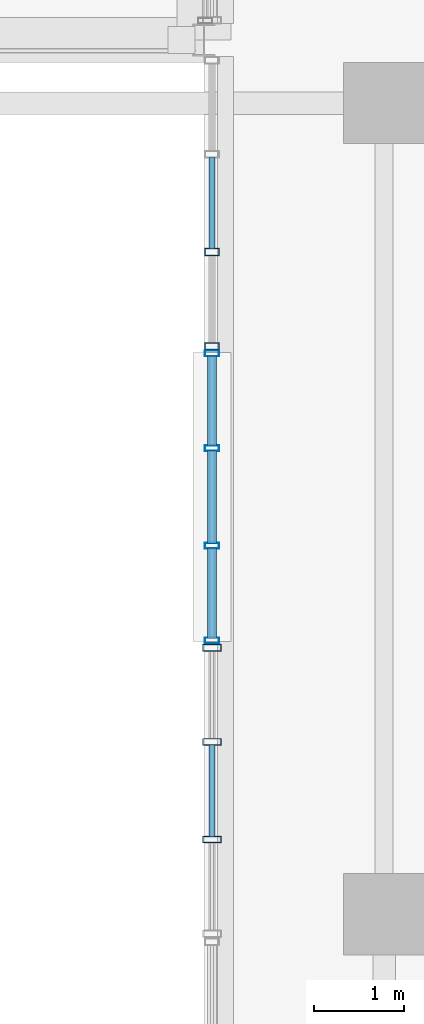
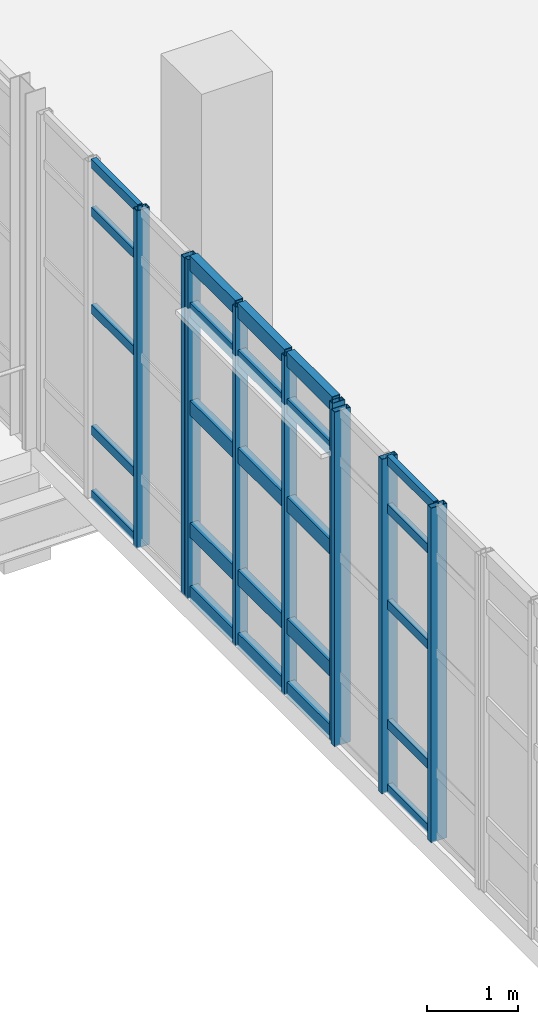
# One storey, part 36 of 127: 34 members, 3 elements without a shape of their own.
"""IFC4 building model written with IfcOpenShell, lengths in metres."""

from ifc_helpers import new_model, si_unit, derived_unit, direction, frame, origin, origin_2d, place, context, subcontext, project, spatial, hollow_rectangle, extrude, material, layer, layer_set, material_profile, profile_set, type_object, element, aggregate, save


model = new_model("IFC4")

# Units and contexts
model_context = context("Model", 3, precision=1e-05, world=origin(), true_north=direction((0.0, 1.0)))
body_context = subcontext(model_context, "Body", "Model", "MODEL_VIEW")
ifc_project = project(units=[si_unit("LENGTHUNIT", "METRE"), si_unit("AREAUNIT", "SQUARE_METRE"), si_unit("VOLUMEUNIT", "CUBIC_METRE"), si_unit("PLANEANGLEUNIT", "RADIAN"), si_unit("MASSUNIT", "GRAM", prefix="KILO"), derived_unit("THERMALTRANSMITTANCEUNIT", [(si_unit("POWERUNIT", "WATT"), 1), (si_unit("LENGTHUNIT", "METRE"), -2), (si_unit("THERMODYNAMICTEMPERATUREUNIT", "KELVIN"), -1)])], contexts=[model_context])

# Site, building, storey
site_placement = place(None, origin())
site = spatial("IfcSite", under=ifc_project, at=site_placement, CompositionType="ELEMENT")
building_placement = place(site_placement, origin())
building = spatial("IfcBuilding", under=site, at=building_placement, Name="Nallur Shell Playhouse", CompositionType="ELEMENT")
storey_placement = place(building_placement, frame((0.0, 0.0, 5.39990234375)))
storey = spatial("IfcBuildingStorey", under=building, at=storey_placement, Name="L02", CompositionType="ELEMENT", Elevation=5.39990234375)

# Curtain wall, members
ifc_material_1 = material(Name="Anodised Aluminium Double-Glazed Facade System", Category="aluminium")
ifc_layer_1 = layer(ifc_material_1, 0.179931640625)
ifc_layer_set_1 = layer_set([ifc_layer_1], Name="Anodised Aluminium Double-Glazed Facade System")
curtain_wall_type_1 = type_object("IfcCurtainWallType", Name="CW-UNIT-17", PredefinedType="NOTDEFINED", material=ifc_layer_set_1)
curtain_wall_1_placement = place(storey_placement, origin())
curtain_wall_1 = element("IfcCurtainWall", 1, at=curtain_wall_1_placement, inside=storey, type_object=curtain_wall_type_1, Name="Unitised curtain wall CW-017 (L02)", PredefinedType="NOTDEFINED")
ifc_material_2 = material(Name="Aluminium Alloy 6063-T6 Mullion", Category="aluminium")
ifc_material_profile_1 = material_profile(ifc_material_2, hollow_rectangle(XDim=0.080078125, YDim=0.159912109375, WallThickness=0.006103515625, at=origin_2d()), Name="RHS 160x80x6")
ifc_profile_set_1 = profile_set([ifc_material_profile_1], Name="Aluminium Alloy 6063-T6 Mullion")
member_type_1 = type_object("IfcMemberType", Name="MB-CW-MUL150", PredefinedType="MULLION", material=ifc_profile_set_1)
member_1_placement = place(storey_placement, frame((54.090087890625, 62.303466796875, -0.014892578125), z_axis=(0.0, 0.0, 1.0), x_axis=(0.0, 1.0, 0.0)))
member_1 = element("IfcMember", 2, at=member_1_placement, type_object=member_type_1, Name="CW-17 mullion 1", PredefinedType="MULLION", context=body_context, shape_type="SweptSolid", body=[
    extrude(hollow_rectangle(XDim=0.080078125, YDim=0.159912109375, WallThickness=0.006103515625, at=origin_2d()), origin(), (0.0, 0.0, 1.0), 4.5390625),
])
member_2_placement = place(storey_placement, frame((54.090087890625, 63.347900390625, -0.014892578125), z_axis=(0.0, 0.0, 1.0), x_axis=(0.0, 1.0, 0.0)))
member_2 = element("IfcMember", 3, at=member_2_placement, type_object=member_type_1, Name="CW-17 mullion 2", PredefinedType="MULLION", context=body_context, shape_type="SweptSolid", body=[
    extrude(hollow_rectangle(XDim=0.080078125, YDim=0.159912109375, WallThickness=0.006103515625, at=origin_2d()), origin(), (0.0, 0.0, 1.0), 4.5390625),
])

ifc_layer_2 = layer(ifc_material_1, 0.176025390625)
ifc_layer_set_2 = layer_set([ifc_layer_2], Name="Anodised Aluminium Double-Glazed Facade System")
curtain_wall_type_2 = type_object("IfcCurtainWallType", Name="CW-UNIT-16", PredefinedType="NOTDEFINED", material=ifc_layer_set_2)
curtain_wall_2_placement = place(storey_placement, origin())
curtain_wall_2 = element("IfcCurtainWall", 4, at=curtain_wall_2_placement, inside=storey, type_object=curtain_wall_type_2, Name="Unitised curtain wall CW-016 (L02)", PredefinedType="NOTDEFINED")
ifc_material_profile_2 = material_profile(ifc_material_2, hollow_rectangle(XDim=0.06494140625, YDim=0.159912109375, WallThickness=0.00390625, at=origin_2d()), Name="ALU 65x160x4")
ifc_profile_set_2 = profile_set([ifc_material_profile_2], Name="Aluminium Alloy 6063-T6 Mullion")
member_type_2 = type_object("IfcMemberType", Name="MB-CW-MUL160", PredefinedType="MULLION", material=ifc_profile_set_2)
member_3_placement = place(storey_placement, frame((54.090087890625, 59.03759765625, -0.014892578125), z_axis=(0.0, 0.0, 1.0), x_axis=(0.0, 1.0, 0.0)))
member_3 = element("IfcMember", 5, at=member_3_placement, type_object=member_type_2, Name="CW-16 mullion 1", PredefinedType="MULLION", context=body_context, shape_type="SweptSolid", body=[
    extrude(hollow_rectangle(XDim=0.06494140625, YDim=0.159912109375, WallThickness=0.00390625, at=origin_2d()), origin(), (0.0, 0.0, 1.0), 4.55908203125),
])
member_4_placement = place(storey_placement, frame((54.090087890625, 60.087890625, -0.014892578125), z_axis=(0.0, 0.0, 1.0), x_axis=(0.0, 1.0, 0.0)))
member_4 = element("IfcMember", 6, at=member_4_placement, type_object=member_type_2, Name="CW-16 mullion 2", PredefinedType="MULLION", context=body_context, shape_type="SweptSolid", body=[
    extrude(hollow_rectangle(XDim=0.06494140625, YDim=0.159912109375, WallThickness=0.00390625, at=origin_2d()), origin(), (0.0, 0.0, 1.0), 4.55908203125),
])
member_5_placement = place(storey_placement, frame((54.090087890625, 61.170654296875, -0.014892578125), z_axis=(0.0, 0.0, 1.0), x_axis=(0.0, 1.0, 0.0)))
member_5 = element("IfcMember", 7, at=member_5_placement, type_object=member_type_2, Name="CW-16 mullion 3", PredefinedType="MULLION", context=body_context, shape_type="SweptSolid", body=[
    extrude(hollow_rectangle(XDim=0.06494140625, YDim=0.159912109375, WallThickness=0.00390625, at=origin_2d()), origin(), (0.0, 0.0, 1.0), 4.55908203125),
])
member_6_placement = place(storey_placement, frame((54.090087890625, 62.220947265625, -0.014892578125), z_axis=(0.0, 0.0, 1.0), x_axis=(0.0, 1.0, 0.0)))
member_6 = element("IfcMember", 8, at=member_6_placement, type_object=member_type_2, Name="CW-16 mullion 4", PredefinedType="MULLION", context=body_context, shape_type="SweptSolid", body=[
    extrude(hollow_rectangle(XDim=0.06494140625, YDim=0.159912109375, WallThickness=0.00390625, at=origin_2d()), origin(), (0.0, 0.0, 1.0), 4.55908203125),
])

ifc_layer_3 = layer(ifc_material_1, 0.172119140625)
ifc_layer_set_3 = layer_set([ifc_layer_3], Name="Anodised Aluminium Double-Glazed Facade System")
curtain_wall_type_3 = type_object("IfcCurtainWallType", Name="CW-UNIT-15", PredefinedType="NOTDEFINED", material=ifc_layer_set_3)
curtain_wall_3_placement = place(storey_placement, origin())
curtain_wall_3 = element("IfcCurtainWall", 9, at=curtain_wall_3_placement, inside=storey, type_object=curtain_wall_type_3, Name="Unitised curtain wall CW-015 (L02)", PredefinedType="NOTDEFINED")
ifc_material_profile_3 = material_profile(ifc_material_2, hollow_rectangle(XDim=0.074951171875, YDim=0.199951171875, WallThickness=0.0048828125, at=origin_2d()), Name="ALU 75x200x5")
ifc_profile_set_3 = profile_set([ifc_material_profile_3], Name="Aluminium Alloy 6063-T6 Mullion")
member_type_3 = type_object("IfcMemberType", Name="MB-CW-MUL180", PredefinedType="MULLION", material=ifc_profile_set_3)
member_7_placement = place(storey_placement, frame((54.090087890625, 56.829345703125, -0.014892578125), z_axis=(0.0, 0.0, 1.0), x_axis=(0.0, 1.0, 0.0)))
member_7 = element("IfcMember", 10, at=member_7_placement, type_object=member_type_3, Name="CW-15 mullion 2", PredefinedType="MULLION", context=body_context, shape_type="SweptSolid", body=[
    extrude(hollow_rectangle(XDim=0.074951171875, YDim=0.199951171875, WallThickness=0.0048828125, at=origin_2d()), origin(), (0.0, 0.0, 1.0), 4.4990234375),
])
member_8_placement = place(storey_placement, frame((54.090087890625, 57.912109375, -0.014892578125), z_axis=(0.0, 0.0, 1.0), x_axis=(0.0, 1.0, 0.0)))
member_8 = element("IfcMember", 11, at=member_8_placement, type_object=member_type_3, Name="CW-15 mullion 3", PredefinedType="MULLION", context=body_context, shape_type="SweptSolid", body=[
    extrude(hollow_rectangle(XDim=0.074951171875, YDim=0.199951171875, WallThickness=0.0048828125, at=origin_2d()), origin(), (0.0, 0.0, 1.0), 4.4990234375),
])
member_9_placement = place(storey_placement, frame((54.090087890625, 58.95751953125, -0.014892578125), z_axis=(0.0, 0.0, 1.0), x_axis=(0.0, 1.0, 0.0)))
member_9 = element("IfcMember", 12, at=member_9_placement, type_object=member_type_3, Name="CW-15 mullion 4", PredefinedType="MULLION", context=body_context, shape_type="SweptSolid", body=[
    extrude(hollow_rectangle(XDim=0.074951171875, YDim=0.199951171875, WallThickness=0.0048828125, at=origin_2d()), origin(), (0.0, 0.0, 1.0), 4.4990234375),
])
ifc_material_3 = material(Name="Aluminium Alloy 6063-T6 Transom", Category="aluminium")
ifc_material_profile_4 = material_profile(ifc_material_3, hollow_rectangle(XDim=0.06494140625, YDim=0.1201171875, WallThickness=0.00390625, at=origin_2d()), Name="ALU 65x120x4")
ifc_profile_set_4 = profile_set([ifc_material_profile_4], Name="Aluminium Alloy 6063-T6 Transom")
member_type_4 = type_object("IfcMemberType", Name="MB-CW-TRN120", PredefinedType="USERDEFINED", material=ifc_profile_set_4)
member_10_placement = place(storey_placement, frame((54.090087890625, 56.85888671875, 0.03271484375), z_axis=(0.0, 1.0, 0.0), x_axis=(-1.0, 0.0, 0.0)))
member_10 = element("IfcMember", 13, at=member_10_placement, type_object=member_type_4, Name="CW-15 transom 2.1", ObjectType="TRANSOM", PredefinedType="USERDEFINED", context=body_context, shape_type="SweptSolid", body=[
    extrude(hollow_rectangle(XDim=0.06494140625, YDim=0.1201171875, WallThickness=0.00390625, at=origin_2d()), origin(), (0.0, 0.0, 1.0), 1.023681640625),
])
member_11_placement = place(storey_placement, frame((54.090087890625, 56.85888671875, 0.900146484375), z_axis=(0.0, 1.0, 0.0), x_axis=(-1.0, 0.0, 0.0)))
member_11 = element("IfcMember", 14, at=member_11_placement, type_object=member_type_4, Name="CW-15 transom 2.2", ObjectType="TRANSOM", PredefinedType="USERDEFINED", context=body_context, shape_type="SweptSolid", body=[
    extrude(hollow_rectangle(XDim=0.06494140625, YDim=0.1201171875, WallThickness=0.00390625, at=origin_2d()), origin(), (0.0, 0.0, 1.0), 1.023681640625),
])
member_12_placement = place(storey_placement, frame((54.090087890625, 56.85888671875, 2.509033203125), z_axis=(0.0, 1.0, 0.0), x_axis=(-1.0, 0.0, 0.0)))
member_12 = element("IfcMember", 15, at=member_12_placement, type_object=member_type_4, Name="CW-15 transom 2.3", ObjectType="TRANSOM", PredefinedType="USERDEFINED", context=body_context, shape_type="SweptSolid", body=[
    extrude(hollow_rectangle(XDim=0.06494140625, YDim=0.1201171875, WallThickness=0.00390625, at=origin_2d()), origin(), (0.0, 0.0, 1.0), 1.023681640625),
])
member_13_placement = place(storey_placement, frame((54.090087890625, 56.85888671875, 3.800048828125), z_axis=(0.0, 1.0, 0.0), x_axis=(-1.0, 0.0, 0.0)))
member_13 = element("IfcMember", 16, at=member_13_placement, type_object=member_type_4, Name="CW-15 transom 2.4", ObjectType="TRANSOM", PredefinedType="USERDEFINED", context=body_context, shape_type="SweptSolid", body=[
    extrude(hollow_rectangle(XDim=0.06494140625, YDim=0.1201171875, WallThickness=0.00390625, at=origin_2d()), origin(), (0.0, 0.0, 1.0), 1.023681640625),
])
member_14_placement = place(storey_placement, frame((54.090087890625, 56.85888671875, 4.447509765625), z_axis=(0.0, 1.0, 0.0), x_axis=(-1.0, 0.0, 0.0)))
member_14 = element("IfcMember", 17, at=member_14_placement, type_object=member_type_4, Name="CW-15 transom 2.5", ObjectType="TRANSOM", PredefinedType="USERDEFINED", context=body_context, shape_type="SweptSolid", body=[
    extrude(hollow_rectangle(XDim=0.06494140625, YDim=0.1201171875, WallThickness=0.00390625, at=origin_2d()), origin(), (0.0, 0.0, 1.0), 1.023681640625),
])
aggregate(curtain_wall_3, [member_7, member_8, member_9, member_10, member_11, member_12, member_13, member_14])

# Member
member_15_placement = place(storey_placement, frame((54.090087890625, 63.3798828125, 0.03271484375), z_axis=(0.0, 1.0, 0.0), x_axis=(-1.0, 0.0, 0.0)))
member_15 = element("IfcMember", 18, at=member_15_placement, type_object=member_type_4, Name="CW-17 transom 2.1", ObjectType="TRANSOM", PredefinedType="USERDEFINED", context=body_context, shape_type="SweptSolid", body=[
    extrude(hollow_rectangle(XDim=0.06494140625, YDim=0.1201171875, WallThickness=0.00390625, at=origin_2d()), origin(), (0.0, 0.0, 1.0), 1.0205078125),
])

member_16_placement = place(storey_placement, frame((54.090087890625, 63.3798828125, 0.900146484375), z_axis=(0.0, 1.0, 0.0), x_axis=(-1.0, 0.0, 0.0)))
member_16 = element("IfcMember", 19, at=member_16_placement, type_object=member_type_4, Name="CW-17 transom 2.2", ObjectType="TRANSOM", PredefinedType="USERDEFINED", context=body_context, shape_type="SweptSolid", body=[
    extrude(hollow_rectangle(XDim=0.06494140625, YDim=0.1201171875, WallThickness=0.00390625, at=origin_2d()), origin(), (0.0, 0.0, 1.0), 1.0205078125),
])

member_17_placement = place(storey_placement, frame((54.090087890625, 63.3798828125, 2.531005859375), z_axis=(0.0, 1.0, 0.0), x_axis=(-1.0, 0.0, 0.0)))
member_17 = element("IfcMember", 20, at=member_17_placement, type_object=member_type_4, Name="CW-17 transom 2.3", ObjectType="TRANSOM", PredefinedType="USERDEFINED", context=body_context, shape_type="SweptSolid", body=[
    extrude(hollow_rectangle(XDim=0.06494140625, YDim=0.1201171875, WallThickness=0.00390625, at=origin_2d()), origin(), (0.0, 0.0, 1.0), 1.0205078125),
])

member_18_placement = place(storey_placement, frame((54.090087890625, 63.3798828125, 3.840087890625), z_axis=(0.0, 1.0, 0.0), x_axis=(-1.0, 0.0, 0.0)))
member_18 = element("IfcMember", 21, at=member_18_placement, type_object=member_type_4, Name="CW-17 transom 2.4", ObjectType="TRANSOM", PredefinedType="USERDEFINED", context=body_context, shape_type="SweptSolid", body=[
    extrude(hollow_rectangle(XDim=0.06494140625, YDim=0.1201171875, WallThickness=0.00390625, at=origin_2d()), origin(), (0.0, 0.0, 1.0), 1.0205078125),
])

member_19_placement = place(storey_placement, frame((54.090087890625, 63.3798828125, 4.487548828125), z_axis=(0.0, 1.0, 0.0), x_axis=(-1.0, 0.0, 0.0)))
member_19 = element("IfcMember", 22, at=member_19_placement, type_object=member_type_4, Name="CW-17 transom 2.5", ObjectType="TRANSOM", PredefinedType="USERDEFINED", context=body_context, shape_type="SweptSolid", body=[
    extrude(hollow_rectangle(XDim=0.06494140625, YDim=0.1201171875, WallThickness=0.00390625, at=origin_2d()), origin(), (0.0, 0.0, 1.0), 1.0205078125),
])

aggregate(curtain_wall_1, [member_1, member_2, member_15, member_16, member_17, member_18, member_19])

ifc_material_profile_5 = material_profile(ifc_material_3, hollow_rectangle(XDim=0.10009765625, YDim=0.199951171875, WallThickness=0.008056640625, at=origin_2d()), Name="RHS 200x100x8")
ifc_profile_set_5 = profile_set([ifc_material_profile_5], Name="Aluminium Alloy 6063-T6 Transom")
member_type_5 = type_object("IfcMemberType", Name="MB-CW-TRN140", PredefinedType="USERDEFINED", material=ifc_profile_set_5)
member_20_placement = place(storey_placement, frame((54.090087890625, 59.06201171875, 0.050048828125), z_axis=(0.0, 1.0, 0.0), x_axis=(-1.0, 0.0, 0.0)))
member_20 = element("IfcMember", 23, at=member_20_placement, type_object=member_type_5, Name="CW-16 transom 1.1", ObjectType="TRANSOM", PredefinedType="USERDEFINED", context=body_context, shape_type="SweptSolid", body=[
    extrude(hollow_rectangle(XDim=0.10009765625, YDim=0.199951171875, WallThickness=0.008056640625, at=origin_2d()), origin(), (0.0, 0.0, 1.0), 1.001220703125),
])

member_21_placement = place(storey_placement, frame((54.090087890625, 59.06201171875, 0.900146484375), z_axis=(0.0, 1.0, 0.0), x_axis=(-1.0, 0.0, 0.0)))
member_21 = element("IfcMember", 24, at=member_21_placement, type_object=member_type_5, Name="CW-16 transom 1.2", ObjectType="TRANSOM", PredefinedType="USERDEFINED", context=body_context, shape_type="SweptSolid", body=[
    extrude(hollow_rectangle(XDim=0.10009765625, YDim=0.199951171875, WallThickness=0.008056640625, at=origin_2d()), origin(), (0.0, 0.0, 1.0), 1.001220703125),
])

member_22_placement = place(storey_placement, frame((54.090087890625, 59.06201171875, 2.5419921875), z_axis=(0.0, 1.0, 0.0), x_axis=(-1.0, 0.0, 0.0)))
member_22 = element("IfcMember", 25, at=member_22_placement, type_object=member_type_5, Name="CW-16 transom 1.3", ObjectType="TRANSOM", PredefinedType="USERDEFINED", context=body_context, shape_type="SweptSolid", body=[
    extrude(hollow_rectangle(XDim=0.10009765625, YDim=0.199951171875, WallThickness=0.008056640625, at=origin_2d()), origin(), (0.0, 0.0, 1.0), 1.001220703125),
])

member_23_placement = place(storey_placement, frame((54.090087890625, 59.06201171875, 3.860107421875), z_axis=(0.0, 1.0, 0.0), x_axis=(-1.0, 0.0, 0.0)))
member_23 = element("IfcMember", 26, at=member_23_placement, type_object=member_type_5, Name="CW-16 transom 1.4", ObjectType="TRANSOM", PredefinedType="USERDEFINED", context=body_context, shape_type="SweptSolid", body=[
    extrude(hollow_rectangle(XDim=0.10009765625, YDim=0.199951171875, WallThickness=0.008056640625, at=origin_2d()), origin(), (0.0, 0.0, 1.0), 1.001220703125),
])

member_24_placement = place(storey_placement, frame((54.090087890625, 59.06201171875, 4.489990234375), z_axis=(0.0, 1.0, 0.0), x_axis=(-1.0, 0.0, 0.0)))
member_24 = element("IfcMember", 27, at=member_24_placement, type_object=member_type_5, Name="CW-16 transom 1.5", ObjectType="TRANSOM", PredefinedType="USERDEFINED", context=body_context, shape_type="SweptSolid", body=[
    extrude(hollow_rectangle(XDim=0.10009765625, YDim=0.199951171875, WallThickness=0.008056640625, at=origin_2d()), origin(), (0.0, 0.0, 1.0), 1.001220703125),
])

member_25_placement = place(storey_placement, frame((54.090087890625, 60.1123046875, 0.050048828125), z_axis=(0.0, 1.0, 0.0), x_axis=(-1.0, 0.0, 0.0)))
member_25 = element("IfcMember", 28, at=member_25_placement, type_object=member_type_5, Name="CW-16 transom 2.1", ObjectType="TRANSOM", PredefinedType="USERDEFINED", context=body_context, shape_type="SweptSolid", body=[
    extrude(hollow_rectangle(XDim=0.10009765625, YDim=0.199951171875, WallThickness=0.008056640625, at=origin_2d()), origin(), (0.0, 0.0, 1.0), 1.033935546875),
])

member_26_placement = place(storey_placement, frame((54.090087890625, 60.1123046875, 0.900146484375), z_axis=(0.0, 1.0, 0.0), x_axis=(-1.0, 0.0, 0.0)))
member_26 = element("IfcMember", 29, at=member_26_placement, type_object=member_type_5, Name="CW-16 transom 2.2", ObjectType="TRANSOM", PredefinedType="USERDEFINED", context=body_context, shape_type="SweptSolid", body=[
    extrude(hollow_rectangle(XDim=0.10009765625, YDim=0.199951171875, WallThickness=0.008056640625, at=origin_2d()), origin(), (0.0, 0.0, 1.0), 1.033935546875),
])

member_27_placement = place(storey_placement, frame((54.090087890625, 60.1123046875, 2.5419921875), z_axis=(0.0, 1.0, 0.0), x_axis=(-1.0, 0.0, 0.0)))
member_27 = element("IfcMember", 30, at=member_27_placement, type_object=member_type_5, Name="CW-16 transom 2.3", ObjectType="TRANSOM", PredefinedType="USERDEFINED", context=body_context, shape_type="SweptSolid", body=[
    extrude(hollow_rectangle(XDim=0.10009765625, YDim=0.199951171875, WallThickness=0.008056640625, at=origin_2d()), origin(), (0.0, 0.0, 1.0), 1.033935546875),
])

member_28_placement = place(storey_placement, frame((54.090087890625, 60.1123046875, 3.860107421875), z_axis=(0.0, 1.0, 0.0), x_axis=(-1.0, 0.0, 0.0)))
member_28 = element("IfcMember", 31, at=member_28_placement, type_object=member_type_5, Name="CW-16 transom 2.4", ObjectType="TRANSOM", PredefinedType="USERDEFINED", context=body_context, shape_type="SweptSolid", body=[
    extrude(hollow_rectangle(XDim=0.10009765625, YDim=0.199951171875, WallThickness=0.008056640625, at=origin_2d()), origin(), (0.0, 0.0, 1.0), 1.033935546875),
])

member_29_placement = place(storey_placement, frame((54.090087890625, 60.1123046875, 4.489990234375), z_axis=(0.0, 1.0, 0.0), x_axis=(-1.0, 0.0, 0.0)))
member_29 = element("IfcMember", 32, at=member_29_placement, type_object=member_type_5, Name="CW-16 transom 2.5", ObjectType="TRANSOM", PredefinedType="USERDEFINED", context=body_context, shape_type="SweptSolid", body=[
    extrude(hollow_rectangle(XDim=0.10009765625, YDim=0.199951171875, WallThickness=0.008056640625, at=origin_2d()), origin(), (0.0, 0.0, 1.0), 1.033935546875),
])

member_30_placement = place(storey_placement, frame((54.090087890625, 61.195068359375, 0.050048828125), z_axis=(0.0, 1.0, 0.0), x_axis=(-1.0, 0.0, 0.0)))
member_30 = element("IfcMember", 33, at=member_30_placement, type_object=member_type_5, Name="CW-16 transom 3.1", ObjectType="TRANSOM", PredefinedType="USERDEFINED", context=body_context, shape_type="SweptSolid", body=[
    extrude(hollow_rectangle(XDim=0.10009765625, YDim=0.199951171875, WallThickness=0.008056640625, at=origin_2d()), origin(), (0.0, 0.0, 1.0), 1.00146484375),
])

member_31_placement = place(storey_placement, frame((54.090087890625, 61.195068359375, 0.900146484375), z_axis=(0.0, 1.0, 0.0), x_axis=(-1.0, 0.0, 0.0)))
member_31 = element("IfcMember", 34, at=member_31_placement, type_object=member_type_5, Name="CW-16 transom 3.2", ObjectType="TRANSOM", PredefinedType="USERDEFINED", context=body_context, shape_type="SweptSolid", body=[
    extrude(hollow_rectangle(XDim=0.10009765625, YDim=0.199951171875, WallThickness=0.008056640625, at=origin_2d()), origin(), (0.0, 0.0, 1.0), 1.00146484375),
])

member_32_placement = place(storey_placement, frame((54.090087890625, 61.195068359375, 2.5419921875), z_axis=(0.0, 1.0, 0.0), x_axis=(-1.0, 0.0, 0.0)))
member_32 = element("IfcMember", 35, at=member_32_placement, type_object=member_type_5, Name="CW-16 transom 3.3", ObjectType="TRANSOM", PredefinedType="USERDEFINED", context=body_context, shape_type="SweptSolid", body=[
    extrude(hollow_rectangle(XDim=0.10009765625, YDim=0.199951171875, WallThickness=0.008056640625, at=origin_2d()), origin(), (0.0, 0.0, 1.0), 1.00146484375),
])

member_33_placement = place(storey_placement, frame((54.090087890625, 61.195068359375, 3.860107421875), z_axis=(0.0, 1.0, 0.0), x_axis=(-1.0, 0.0, 0.0)))
member_33 = element("IfcMember", 36, at=member_33_placement, type_object=member_type_5, Name="CW-16 transom 3.4", ObjectType="TRANSOM", PredefinedType="USERDEFINED", context=body_context, shape_type="SweptSolid", body=[
    extrude(hollow_rectangle(XDim=0.10009765625, YDim=0.199951171875, WallThickness=0.008056640625, at=origin_2d()), origin(), (0.0, 0.0, 1.0), 1.00146484375),
])

member_34_placement = place(storey_placement, frame((54.090087890625, 61.195068359375, 4.489990234375), z_axis=(0.0, 1.0, 0.0), x_axis=(-1.0, 0.0, 0.0)))
member_34 = element("IfcMember", 37, at=member_34_placement, type_object=member_type_5, Name="CW-16 transom 3.5", ObjectType="TRANSOM", PredefinedType="USERDEFINED", context=body_context, shape_type="SweptSolid", body=[
    extrude(hollow_rectangle(XDim=0.10009765625, YDim=0.199951171875, WallThickness=0.008056640625, at=origin_2d()), origin(), (0.0, 0.0, 1.0), 1.00146484375),
])

aggregate(curtain_wall_2, [member_3, member_4, member_5, member_6, member_20, member_21, member_22, member_23, member_24, member_25, member_26, member_27, member_28, member_29, member_30, member_31, member_32, member_33, member_34])

save(model, "model.ifc")
